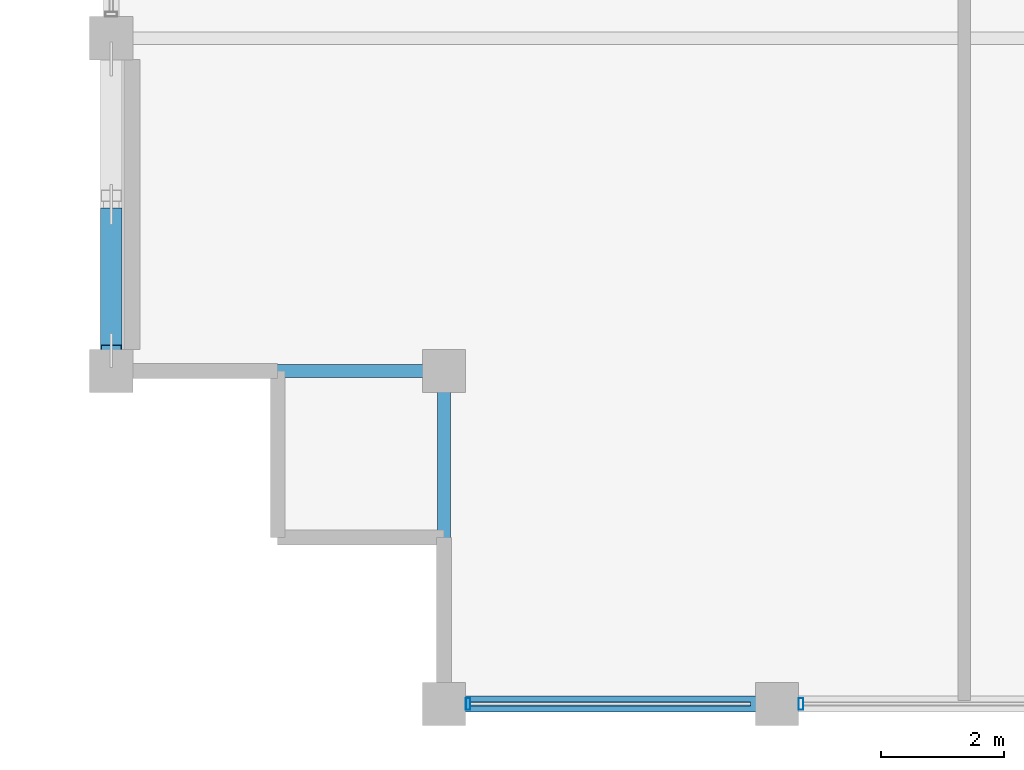
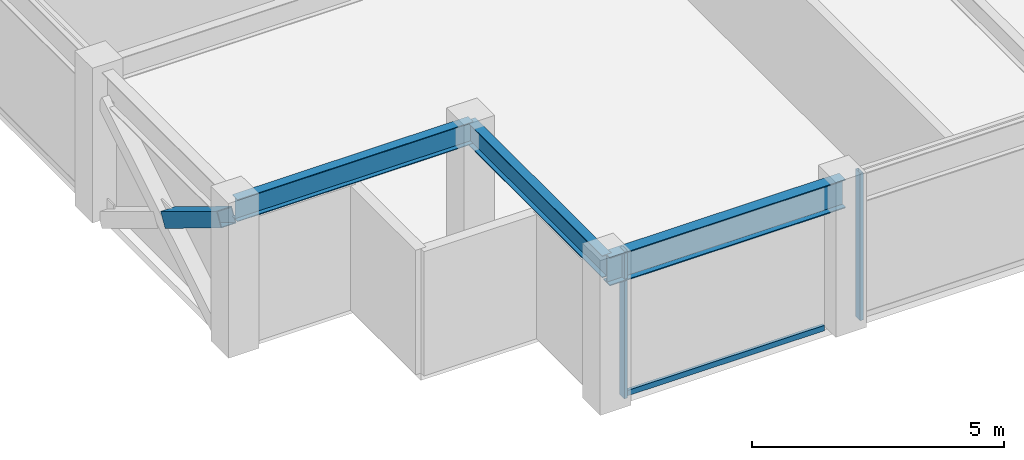
# One storey, part 2 of 30: 4 members, 3 beams, 1 element without a shape of its own.
"""IFC4 building model written with IfcOpenShell, lengths in metres."""

import ifcopenshell
import ifcopenshell.guid

model = None  # the IFC model being written
_history = None  # IfcOwnerHistory: only IFC2X3 demands one
_inside = {}  # id of a spatial element -> (the spatial element, [elements in it])
_under = {}  # id of a project, library or spatial element -> (it, [spatial elements below it])
_declared = {}  # id of a project -> (the project, [libraries it declares])
_typed = {}  # id of a type object -> (the type object, [elements of that type])
_made_of = {}  # id of a material, layer set ... -> (it, [elements and type objects made of it])


def new_model(schema):
    """Start an empty IFC model of exactly this schema.

    Asked for "IFC4X3", IfcOpenShell would pick the latest addendum, in which some entities
    have other attributes; the version numbers below select the first issue.
    IFC2X3 requires an IfcOwnerHistory on every rooted entity: one is made here for all.
    """
    global model, _history
    if schema == "IFC4X3":
        model = ifcopenshell.file(schema_version=(4, 3, 0, 0))
    else:
        model = ifcopenshell.file(schema=schema)
    _inside.clear()
    _under.clear()
    _declared.clear()
    _typed.clear()
    _made_of.clear()
    _history = None
    if model.schema == "IFC2X3":
        org = make("IfcOrganization", Name="unknown")
        user = make(
            "IfcPersonAndOrganization",
            ThePerson=make("IfcPerson", FamilyName="unknown"),
            TheOrganization=org,
        )
        app = make(
            "IfcApplication",
            ApplicationDeveloper=org,
            Version="unknown",
            ApplicationFullName="unknown",
            ApplicationIdentifier="unknown",
        )
        _history = make(
            "IfcOwnerHistory",
            OwningUser=user,
            OwningApplication=app,
            ChangeAction="ADDED",
            CreationDate=0,
        )
    return model


def make(cls, **values):
    """One entity of the class cls with the attributes given. An attribute that is None is left unset."""
    return model.create_entity(
        cls, **{name: value for name, value in values.items() if value is not None}
    )


def rooted(cls, **values):
    """An entity with a GlobalId (a new one), such as an element, a storey or a relation."""
    return make(cls, GlobalId=ifcopenshell.guid.new(), OwnerHistory=_history, **values)


def si_unit(unit_type, name, prefix=None):
    """IfcSIUnit, for example si_unit("LENGTHUNIT", "METRE", prefix="MILLI")."""
    return make("IfcSIUnit", UnitType=unit_type, Prefix=prefix, Name=name)


def assignment(units):
    """IfcUnitAssignment: the units of a project."""
    return None if units is None else make("IfcUnitAssignment", Units=units)


def point(xyz):
    """IfcCartesianPoint."""
    return None if xyz is None else make("IfcCartesianPoint", Coordinates=xyz)


def direction(xyz):
    """IfcDirection."""
    return None if xyz is None else make("IfcDirection", DirectionRatios=xyz)


def frame(location, z_axis=None, x_axis=None):
    """IfcAxis2Placement3D, a coordinate frame: its origin and axes. An axis left out is left unset."""
    return make(
        "IfcAxis2Placement3D",
        Location=point(location),
        Axis=direction(z_axis),
        RefDirection=direction(x_axis),
    )


def frame_2d(location, x_axis=None):
    """IfcAxis2Placement2D, a coordinate frame in the plane: its origin and x axis."""
    return make(
        "IfcAxis2Placement2D", Location=point(location), RefDirection=direction(x_axis)
    )


def origin():
    """The frame at (0, 0, 0) with its axes left unset."""
    return frame((0.0, 0.0, 0.0))


def origin_2d():
    """The frame at (0, 0) in the plane with its x axis left unset."""
    return frame_2d((0.0, 0.0))


def place(relative_to, where):
    """IfcLocalPlacement: puts the frame where relative to a parent placement (None: the world)."""
    return make(
        "IfcLocalPlacement", PlacementRelTo=relative_to, RelativePlacement=where
    )


def context(
    kind, dimensions, precision=None, world=None, true_north=None, identifier=None
):
    """IfcGeometricRepresentationContext, for example the 3D "Model" context."""
    return make(
        "IfcGeometricRepresentationContext",
        ContextIdentifier=identifier,
        ContextType=kind,
        CoordinateSpaceDimension=dimensions,
        Precision=precision,
        WorldCoordinateSystem=world,
        TrueNorth=true_north,
    )


def subcontext(parent, identifier, kind, view, scale=None):
    """IfcGeometricRepresentationSubContext, for example "Body" below "Model"."""
    return make(
        "IfcGeometricRepresentationSubContext",
        ContextIdentifier=identifier,
        ContextType=kind,
        ParentContext=parent,
        TargetScale=scale,
        TargetView=view,
    )


def project(units=None, contexts=None):
    """IfcProject with its units and contexts."""
    return rooted(
        "IfcProject",
        Name="project",
        RepresentationContexts=contexts,
        UnitsInContext=assignment(units),
    )


def spatial(cls, under=None, at=None, **own):
    """A site, building, storey or space (cls), placed at a placement, below another one or the project."""
    s = rooted(cls, ObjectPlacement=at, **own)
    if under is not None:
        _under.setdefault(under.id(), (under, []))[1].append(s)
    return s


def profile(cls, at=None, kind="AREA", **sizes):
    """A parametric profile (cls). Its sizes go by their IFC names, for example OverallWidth=200.0."""
    return make(cls, ProfileType=kind, Position=at, **sizes)


def hollow_rectangle(**sizes):
    """IfcRectangleHollowProfileDef."""
    return profile("IfcRectangleHollowProfileDef", **sizes)


def i_section(**sizes):
    """IfcIShapeProfileDef."""
    return profile("IfcIShapeProfileDef", **sizes)


def extrude(swept, where, along, depth):
    """IfcExtrudedAreaSolid: the profile swept, set in the frame where, extruded along a direction by depth."""
    return make(
        "IfcExtrudedAreaSolid",
        SweptArea=swept,
        Position=where,
        ExtrudedDirection=direction(along),
        Depth=depth,
    )


def shape(context_of_items, identifier, shape_type, items):
    """IfcShapeRepresentation: the items that make up one representation, for example the "Body"."""
    return make(
        "IfcShapeRepresentation",
        ContextOfItems=context_of_items,
        RepresentationIdentifier=identifier,
        RepresentationType=shape_type,
        Items=items,
    )


def material(Name=None, Category=None):
    """IfcMaterial."""
    return make("IfcMaterial", Name=Name, Category=Category)


def layer(
    of_material, thickness, ventilated=None, Name=None, Category=None, Priority=None
):
    """IfcMaterialLayer: one layer of a wall or slab, of a material (None: an air gap)."""
    return make(
        "IfcMaterialLayer",
        Material=of_material,
        LayerThickness=thickness,
        IsVentilated=ventilated,
        Name=Name,
        Category=Category,
        Priority=Priority,
    )


def layer_set(layers, Name=None):
    """IfcMaterialLayerSet."""
    return make("IfcMaterialLayerSet", MaterialLayers=layers, LayerSetName=Name)


def material_profile(
    of_material, cross_section, Name=None, Category=None, Priority=None
):
    """IfcMaterialProfile: a cross section and its material."""
    return make(
        "IfcMaterialProfile",
        Name=Name,
        Material=of_material,
        Profile=cross_section,
        Priority=Priority,
        Category=Category,
    )


def profile_set(profiles, Name=None, composite=None):
    """IfcMaterialProfileSet."""
    return make(
        "IfcMaterialProfileSet",
        Name=Name,
        MaterialProfiles=profiles,
        CompositeProfile=composite,
    )


def made_of(thing, what):
    """Note that an element or type object is made of a material, layer set ...; save() writes the relation."""
    if what is not None:
        _made_of.setdefault(what.id(), (what, []))[1].append(thing)
    return thing


def type_object(cls, material=None, **own):
    """A type object (cls), such as IfcWallType, which elements share."""
    return made_of(rooted(cls, **own), material)


def element(
    cls,
    number,
    at=None,
    inside=None,
    cuts=None,
    type_object=None,
    material=None,
    context=None,
    identifier="Body",
    shape_type=None,
    held_by="IfcProductDefinitionShape",
    body=None,
    shapes=None,
    **own,
):
    """One element of the class cls, such as IfcWall. Its Tag is "e" and its number.

    at: its placement. inside: the storey or other place that contains it. cuts: it is an
    opening in that element (IfcRelVoidsElement). A single representation is given by context,
    identifier, shape_type and body (its items); several are given by shapes. held_by: the class
    of the entity that holds the representations. save() writes the other relations.
    """
    e = rooted(cls, Tag="e%d" % number, ObjectPlacement=at, **own)
    if body is not None:
        shapes = [shape(context, identifier, shape_type, body)]
    if shapes is not None:
        e.Representation = make(held_by, Representations=shapes)
    if inside is not None:
        _inside.setdefault(inside.id(), (inside, []))[1].append(e)
    if cuts is not None:
        rooted(
            "IfcRelVoidsElement", RelatingBuildingElement=cuts, RelatedOpeningElement=e
        )
    if type_object is not None:
        _typed.setdefault(type_object.id(), (type_object, []))[1].append(e)
    return made_of(e, material)


def aggregate(whole, parts):
    """IfcRelAggregates: a whole, such as a stair, and the parts it consists of."""
    return rooted("IfcRelAggregates", RelatingObject=whole, RelatedObjects=parts)


def save(model, path):
    """Write the relations noted so far, then the file.

    IfcRelAggregates (storeys below a building ...), IfcRelContainedInSpatialStructure (elements
    in a storey), IfcRelDefinesByType, IfcRelAssociatesMaterial and IfcRelDeclares: one each for
    every whole, place, type object, material and project.
    """
    for whole, parts in _under.values():
        aggregate(whole, parts)
    for where, things in _inside.values():
        rooted(
            "IfcRelContainedInSpatialStructure",
            RelatedElements=things,
            RelatingStructure=where,
        )
    for kind, things in _typed.values():
        rooted("IfcRelDefinesByType", RelatedObjects=things, RelatingType=kind)
    for what, things in _made_of.values():
        rooted("IfcRelAssociatesMaterial", RelatedObjects=things, RelatingMaterial=what)
    for by, libraries in _declared.values():
        rooted("IfcRelDeclares", RelatingContext=by, RelatedDefinitions=libraries)
    model.write(path)


model = new_model("IFC4")

# Units and contexts
model_context = context("Model", 3, precision=1e-05, world=origin(), true_north=direction((0.0, 1.0)))
body_context = subcontext(model_context, "Body", "Model", "MODEL_VIEW")
ifc_project = project(units=[si_unit("LENGTHUNIT", "METRE"), si_unit("AREAUNIT", "SQUARE_METRE"), si_unit("VOLUMEUNIT", "CUBIC_METRE"), si_unit("PLANEANGLEUNIT", "RADIAN"), si_unit("MASSUNIT", "GRAM", prefix="KILO")], contexts=[model_context])

# Site, building, storey
site_placement = place(None, origin())
site = spatial("IfcSite", under=ifc_project, at=site_placement, CompositionType="ELEMENT")
building_placement = place(site_placement, origin())
building = spatial("IfcBuilding", under=site, at=building_placement, Name="Surkhivell Harbour Commons", CompositionType="ELEMENT")
storey_placement = place(building_placement, frame((0.0, 0.0, 303.75)))
storey = spatial("IfcBuildingStorey", under=building, at=storey_placement, Name="L79", CompositionType="ELEMENT", Elevation=303.75)

# Beams
ifc_material_1 = material(Name="Steel S355", Category="steel")
ifc_material_profile_1 = material_profile(ifc_material_1, i_section(OverallWidth=0.2099609375, OverallDepth=0.537109375, WebThickness=0.0107421875, FlangeThickness=0.017333984375, at=origin_2d()), Name="UB533x210x101")
ifc_profile_set_1 = profile_set([ifc_material_profile_1], Name="Steel S355")
beam_type_1 = type_object("IfcBeamType", Name="BM-GRD-533B", PredefinedType="BEAM", material=ifc_profile_set_1)
beam_1_placement = place(storey_placement, frame((-27.0, -16.199951171875, 3.301513671875), z_axis=(1.0, 0.0, 0.0), x_axis=(0.0, 1.0, 0.0)))
element("IfcBeam", 1, at=beam_1_placement, inside=storey, type_object=beam_type_1, Name="L79 Floor Girder (-27.0,-16.2)", PredefinedType="BEAM", context=body_context, shape_type="SweptSolid", body=[
    extrude(i_section(OverallWidth=0.2099609375, OverallDepth=0.537109375, WebThickness=0.0107421875, FlangeThickness=0.017333984375, at=origin_2d()), origin(), (0.0, 0.0, 1.0), 5.39990234375),
])
beam_2_placement = place(storey_placement, frame((-21.60009765625, -21.60009765625, 3.301513671875), z_axis=(0.0, 1.0, 0.0), x_axis=(-1.0, 0.0, 0.0)))
element("IfcBeam", 2, at=beam_2_placement, inside=storey, type_object=beam_type_1, Name="L79 Floor Girder (-21.6,-21.6)", PredefinedType="BEAM", context=body_context, shape_type="SweptSolid", body=[
    extrude(i_section(OverallWidth=0.2099609375, OverallDepth=0.537109375, WebThickness=0.0107421875, FlangeThickness=0.017333984375, at=origin_2d()), origin(), (0.0, 0.0, 1.0), 5.400146484375),
])
ifc_material_profile_2 = material_profile(ifc_material_1, i_section(OverallWidth=0.256103515625, OverallDepth=0.693115234375, WebThickness=0.014404296875, FlangeThickness=0.023681640625, at=origin_2d()), Name="UB686x254x170")
ifc_profile_set_2 = profile_set([ifc_material_profile_2], Name="Steel S355")
beam_type_2 = type_object("IfcBeamType", Name="BM-SPN-686", PredefinedType="SPANDREL", material=ifc_profile_set_2)
beam_3_placement = place(storey_placement, frame((-21.60009765625, -21.60009765625, 3.223388671875), z_axis=(1.0, 0.0, 0.0), x_axis=(0.0, 1.0, 0.0)))
element("IfcBeam", 3, at=beam_3_placement, inside=storey, type_object=beam_type_2, Name="L79 Tube Spandrel (-21.6,-21.6)", PredefinedType="SPANDREL", context=body_context, shape_type="SweptSolid", body=[
    extrude(i_section(OverallWidth=0.256103515625, OverallDepth=0.693115234375, WebThickness=0.014404296875, FlangeThickness=0.023681640625, at=origin_2d()), origin(), (0.0, 0.0, 1.0), 5.400146484375),
])

# Curtain wall, members
ifc_material_2 = material(Name="Anodised pale-metal aluminium and insulated glazing", Category="aluminium")
ifc_layer = layer(ifc_material_2, 0.175048828125)
ifc_layer_set = layer_set([ifc_layer], Name="Anodised pale-metal aluminium and insulated glazing")
curtain_wall_type = type_object("IfcCurtainWallType", Name="CW-SYS-Z4", PredefinedType="NOTDEFINED", material=ifc_layer_set)
curtain_wall_placement = place(storey_placement, origin())
curtain_wall = element("IfcCurtainWall", 4, at=curtain_wall_placement, inside=storey, type_object=curtain_wall_type, Name="L79 Curtain Wall CW-L79-E00S1", PredefinedType="NOTDEFINED")
ifc_material_3 = material(Name="Anodised pale-metal aluminium alloy 6063-T6", Category="aluminium")
ifc_material_profile_3 = material_profile(ifc_material_3, hollow_rectangle(XDim=0.074951171875, YDim=0.18994140625, WallThickness=0.00390625, at=origin_2d()), Name="ALU-MULL-75x190")
ifc_profile_set_3 = profile_set([ifc_material_profile_3], Name="Anodised pale-metal aluminium alloy 6063-T6")
member_type_1 = type_object("IfcMemberType", Name="CWM-190", PredefinedType="MULLION", material=ifc_profile_set_3)
member_1_placement = place(storey_placement, frame((-21.21044921875, -21.60009765625, 0.0), z_axis=(0.0, 0.0, 1.0), x_axis=(1.0, 0.0, 0.0)))
member_1 = element("IfcMember", 5, at=member_1_placement, type_object=member_type_1, Name="CW-Z4 mullion 1", PredefinedType="MULLION", context=body_context, shape_type="SweptSolid", body=[
    extrude(hollow_rectangle(XDim=0.074951171875, YDim=0.18994140625, WallThickness=0.00390625, at=origin_2d()), origin(), (0.0, 0.0, 1.0), 3.570068359375),
])
member_2_placement = place(storey_placement, frame((-15.810546875, -21.60009765625, 0.0), z_axis=(0.0, 0.0, 1.0), x_axis=(1.0, 0.0, 0.0)))
member_2 = element("IfcMember", 6, at=member_2_placement, type_object=member_type_1, Name="CW-Z4 mullion 2", PredefinedType="MULLION", context=body_context, shape_type="SweptSolid", body=[
    extrude(hollow_rectangle(XDim=0.074951171875, YDim=0.18994140625, WallThickness=0.00390625, at=origin_2d()), origin(), (0.0, 0.0, 1.0), 3.570068359375),
])
ifc_material_4 = material(Name="Champagne anodised aluminium alloy 6063-T6", Category="aluminium")
ifc_material_profile_4 = material_profile(ifc_material_4, hollow_rectangle(XDim=0.070068359375, YDim=0.1298828125, WallThickness=0.00341796875, at=origin_2d()), Name="ALU-TRAN-70x130")
ifc_profile_set_4 = profile_set([ifc_material_profile_4], Name="Champagne anodised aluminium alloy 6063-T6")
member_type_2 = type_object("IfcMemberType", Name="CWT-130", PredefinedType="USERDEFINED", material=ifc_profile_set_4)
member_3_placement = place(storey_placement, frame((-21.173095703125, -21.60009765625, 0.06494140625), z_axis=(1.0, 0.0, 0.0), x_axis=(0.0, 1.0, 0.0)))
member_3 = element("IfcMember", 7, at=member_3_placement, type_object=member_type_2, Name="CW-Z4 transom 1.1", ObjectType="TRANSOM", PredefinedType="USERDEFINED", context=body_context, shape_type="SweptSolid", body=[
    extrude(hollow_rectangle(XDim=0.070068359375, YDim=0.1298828125, WallThickness=0.00341796875, at=origin_2d()), origin(), (0.0, 0.0, 1.0), 4.546142578125),
])
aggregate(curtain_wall, [member_1, member_3, member_2])

# Member
ifc_material_profile_5 = material_profile(ifc_material_1, hollow_rectangle(XDim=0.35009765625, YDim=0.35009765625, WallThickness=0.01611328125, at=origin_2d()), Name="SHS350x350x16")
ifc_profile_set_5 = profile_set([ifc_material_profile_5], Name="Steel S355")
member_type_3 = type_object("IfcMemberType", Name="MEM-BRC-SHS350", PredefinedType="BRACE", material=ifc_profile_set_5)
member_4_placement = place(storey_placement, frame((-27.0, -13.6435546875, 1.53173828125), z_axis=(0.0, -0.854678858595, 0.51915705588), x_axis=(1.0, 0.0, 0.0)))
element("IfcMember", 8, at=member_4_placement, inside=storey, type_object=member_type_3, Name="L79 Perimeter Mega-Brace MB- 12", PredefinedType="BRACE", context=body_context, shape_type="SweptSolid", body=[
    extrude(hollow_rectangle(XDim=0.35009765625, YDim=0.35009765625, WallThickness=0.01611328125, at=origin_2d()), origin(), (0.0, 0.0, 1.0), 2.59912109375),
])

save(model, "model.ifc")
